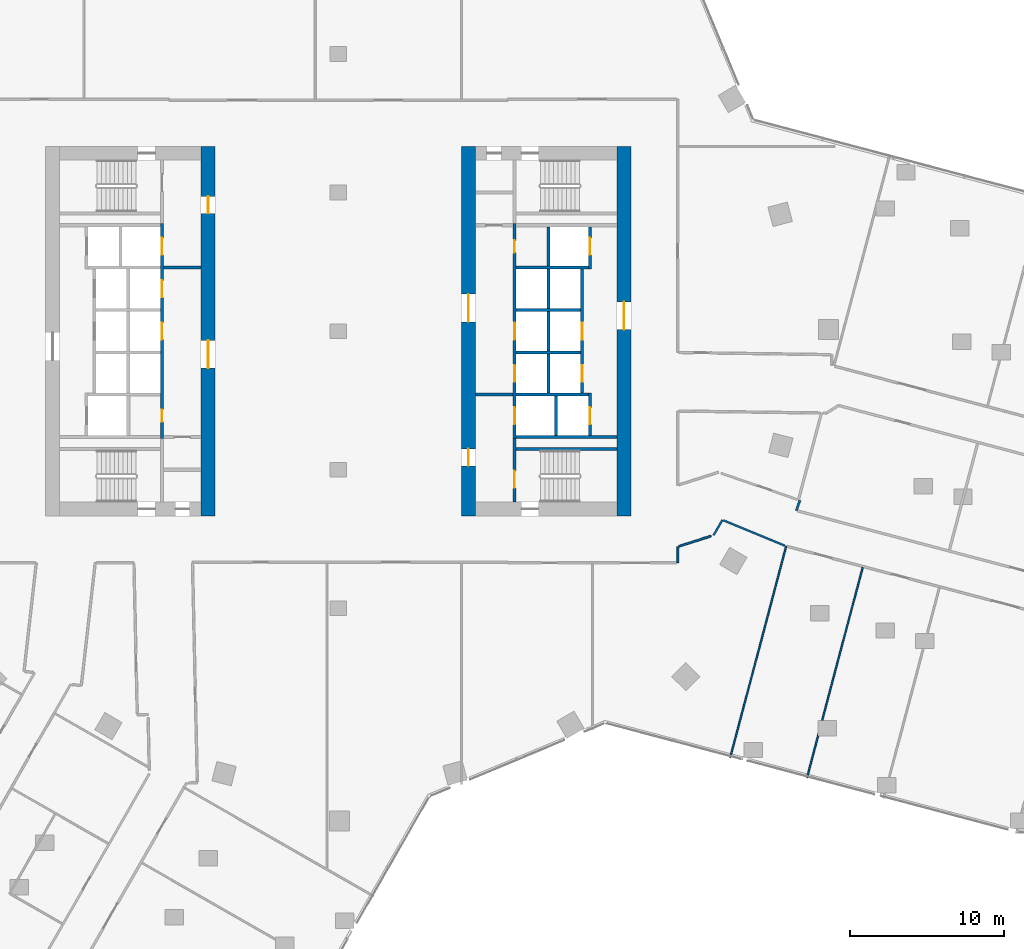
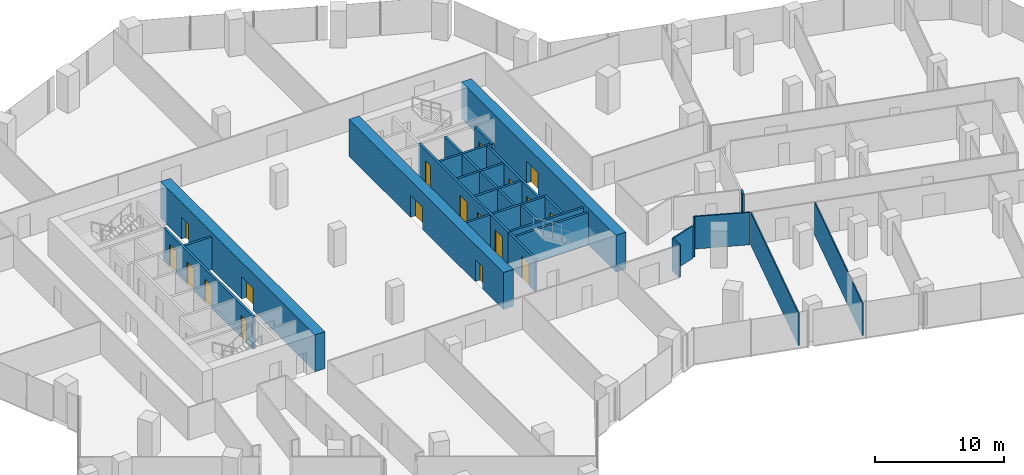
# One storey, part 28 of 34: 29 walls, 18 doors, 18 openings.
"""IFC4 building model written with IfcOpenShell, lengths in metres."""

from ifc_helpers import new_model, si_unit, direction, frame, frame_2d, origin, place, context, subcontext, project, spatial, rectangle, extrude, material, layer, layer_set, type_object, element, fill, save


model = new_model("IFC4")

# Units and contexts
model_context = context("Model", 3, precision=1e-05, world=origin(), true_north=direction((0.0, 1.0)))
body_context = subcontext(model_context, "Body", "Model", "MODEL_VIEW")
ifc_project = project(units=[si_unit("LENGTHUNIT", "METRE"), si_unit("AREAUNIT", "SQUARE_METRE"), si_unit("VOLUMEUNIT", "CUBIC_METRE"), si_unit("PLANEANGLEUNIT", "RADIAN"), si_unit("MASSUNIT", "GRAM", prefix="KILO")], contexts=[model_context])

# Site, building, storey
site_placement = place(None, origin())
site = spatial("IfcSite", under=ifc_project, at=site_placement, CompositionType="ELEMENT")
building_placement = place(site_placement, origin())
building = spatial("IfcBuilding", under=site, at=building_placement, Name="Orlundy Tower", CompositionType="ELEMENT")
storey_placement = place(building_placement, frame((0.0, 0.0, 105.699951171875)))
storey = spatial("IfcBuildingStorey", under=building, at=storey_placement, Name="L26", CompositionType="ELEMENT", Elevation=105.699951171875)

# Wall, openings, doors
ifc_material_1 = material(Name="Concrete C80/95", Category="concrete")
ifc_layer_1 = layer(ifc_material_1, 0.89990234375)
ifc_layer_set_1 = layer_set([ifc_layer_1], Name="CORE WALL 900 C80/95")
wall_type_1 = type_object("IfcWallType", Name="CORE WALL 900 C80/95", PredefinedType="SHEAR", material=ifc_layer_set_1)
wall_1_placement = place(storey_placement, frame((-8.449951171875, -12.0, 0.0), z_axis=(0.0, 0.0, 1.0), x_axis=(0.0, 1.0, 0.0)))
wall_1 = element("IfcWall", 1, at=wall_1_placement, inside=storey, type_object=wall_type_1, Name="Core wall W-E L26", PredefinedType="SHEAR", context=body_context, shape_type="SweptSolid", body=[
    extrude(rectangle(XDim=24.0, YDim=0.89990234375, at=frame_2d((12.0, 0.0))), origin(), (0.0, 0.0, 1.0), 3.5),
])
opening_1_placement = place(wall_1_placement, frame((9.60009765625, 0.0, 0.0)))
opening_1 = element("IfcOpeningElement", 2, at=opening_1_placement, cuts=wall_1, Name="Opening 21009", PredefinedType="OPENING", context=body_context, shape_type="SweptSolid", body=[
    extrude(rectangle(XDim=1.800048828125, YDim=2.10009765625, at=frame_2d((0.89990234375, 1.050048828125))), frame((0.0, 0.4599609375, 0.0), z_axis=(0.0, -1.0, 0.0), x_axis=(1.0, 0.0, 0.0)), (0.0, 0.0, 1.0), 0.919921875),
])
opening_2_placement = place(wall_1_placement, frame((19.64990234375, 0.0, 0.0)))
opening_2 = element("IfcOpeningElement", 3, at=opening_2_placement, cuts=wall_1, Name="Opening 21011", PredefinedType="OPENING", context=body_context, shape_type="SweptSolid", body=[
    extrude(rectangle(XDim=1.10009765625, YDim=2.10009765625, at=frame_2d((0.550048828125, 1.050048828125))), frame((0.0, 0.4599609375, 0.0), z_axis=(0.0, -1.0, 0.0), x_axis=(1.0, 0.0, 0.0)), (0.0, 0.0, 1.0), 0.919921875),
])
ifc_material_2 = material(Name="Steel door set", Category="steel")
door_type_1 = type_object("IfcDoorType", Name="Fire-fighting Lobby Door 1100x2100", OperationType="SINGLE_SWING_LEFT", PredefinedType="DOOR", material=ifc_material_2)
door_1_placement = place(opening_2_placement, origin())
door_1 = element("IfcDoor", 4, at=door_1_placement, inside=storey, type_object=door_type_1, Name="Fire-fighting lobby door 21011", OperationType="SINGLE_SWING_RIGHT", OverallHeight=2.10009765625, OverallWidth=1.10009765625, PredefinedType="DOOR", context=body_context, shape_type="SweptSolid", body=[
    extrude(rectangle(XDim=1.10009765625, YDim=2.10009765625, at=frame_2d((0.550048828125, 1.050048828125))), frame((0.0, 0.02490234375, 0.0), z_axis=(0.0, -1.0, 0.0), x_axis=(1.0, 0.0, 0.0)), (0.0, 0.0, 1.0), 0.050048828125),
])
fill(opening_2, door_1)
ifc_material_3 = material(Name="Timber door set", Category="wood")
door_type_2 = type_object("IfcDoorType", Name="Lobby Door 1800x2100", OperationType="DOUBLE_DOOR_DOUBLE_SWING", PredefinedType="DOOR", material=ifc_material_3)
door_2_placement = place(opening_1_placement, origin())
door_2 = element("IfcDoor", 5, at=door_2_placement, inside=storey, type_object=door_type_2, Name="Lift lobby door 21009", OperationType="SINGLE_SWING_LEFT", OverallHeight=2.10009765625, OverallWidth=1.800048828125, PredefinedType="DOOR", context=body_context, shape_type="SweptSolid", body=[
    extrude(rectangle(XDim=1.800048828125, YDim=2.10009765625, at=frame_2d((0.89990234375, 1.050048828125))), frame((0.0, 0.02490234375, 0.0), z_axis=(0.0, -1.0, 0.0), x_axis=(1.0, 0.0, 0.0)), (0.0, 0.0, 1.0), 0.050048828125),
])
fill(opening_1, door_2)

wall_2_placement = place(storey_placement, frame((8.449951171875, -12.0, 0.0), z_axis=(0.0, 0.0, 1.0), x_axis=(0.0, 1.0, 0.0)))
wall_2 = element("IfcWall", 6, at=wall_2_placement, inside=storey, type_object=wall_type_1, Name="Core wall E-W L26", PredefinedType="SHEAR", context=body_context, shape_type="SweptSolid", body=[
    extrude(rectangle(XDim=24.0, YDim=0.89990234375, at=frame_2d((12.0, 0.0))), origin(), (0.0, 0.0, 1.0), 3.5),
])
opening_3_placement = place(wall_2_placement, frame((12.60009765625, 0.0, 0.0)))
opening_3 = element("IfcOpeningElement", 7, at=opening_3_placement, cuts=wall_2, Name="Opening 21058", PredefinedType="OPENING", context=body_context, shape_type="SweptSolid", body=[
    extrude(rectangle(XDim=1.800048828125, YDim=2.10009765625, at=frame_2d((0.89990234375, 1.050048828125))), frame((0.0, 0.4599609375, 0.0), z_axis=(0.0, -1.0, 0.0), x_axis=(1.0, 0.0, 0.0)), (0.0, 0.0, 1.0), 0.919921875),
])
opening_4_placement = place(wall_2_placement, frame((3.25, 0.0, 0.0)))
opening_4 = element("IfcOpeningElement", 8, at=opening_4_placement, cuts=wall_2, Name="Opening 21060", PredefinedType="OPENING", context=body_context, shape_type="SweptSolid", body=[
    extrude(rectangle(XDim=1.10009765625, YDim=2.10009765625, at=frame_2d((0.550048828125, 1.050048828125))), frame((0.0, 0.4599609375, 0.0), z_axis=(0.0, -1.0, 0.0), x_axis=(1.0, 0.0, 0.0)), (0.0, 0.0, 1.0), 0.919921875),
])
door_3_placement = place(opening_4_placement, origin())
door_3 = element("IfcDoor", 9, at=door_3_placement, inside=storey, type_object=door_type_1, Name="Fire-fighting lobby door 21060", OperationType="SINGLE_SWING_LEFT", OverallHeight=2.10009765625, OverallWidth=1.10009765625, PredefinedType="DOOR", context=body_context, shape_type="SweptSolid", body=[
    extrude(rectangle(XDim=1.10009765625, YDim=2.10009765625, at=frame_2d((0.550048828125, 1.050048828125))), frame((0.0, 0.02490234375, 0.0), z_axis=(0.0, -1.0, 0.0), x_axis=(1.0, 0.0, 0.0)), (0.0, 0.0, 1.0), 0.050048828125),
])
fill(opening_4, door_3)
door_4_placement = place(opening_3_placement, origin())
door_4 = element("IfcDoor", 10, at=door_4_placement, inside=storey, type_object=door_type_2, Name="Lift lobby door 21058", OperationType="SINGLE_SWING_RIGHT", OverallHeight=2.10009765625, OverallWidth=1.800048828125, PredefinedType="DOOR", context=body_context, shape_type="SweptSolid", body=[
    extrude(rectangle(XDim=1.800048828125, YDim=2.10009765625, at=frame_2d((0.89990234375, 1.050048828125))), frame((0.0, 0.02490234375, 0.0), z_axis=(0.0, -1.0, 0.0), x_axis=(1.0, 0.0, 0.0)), (0.0, 0.0, 1.0), 0.050048828125),
])
fill(opening_3, door_4)

# Wall, opening, door
wall_3_placement = place(storey_placement, frame((18.550048828125, -12.0, 0.0), z_axis=(0.0, 0.0, 1.0), x_axis=(0.0, 1.0, 0.0)))
wall_3 = element("IfcWall", 11, at=wall_3_placement, inside=storey, type_object=wall_type_1, Name="Core wall E-E L26", PredefinedType="SHEAR", context=body_context, shape_type="SweptSolid", body=[
    extrude(rectangle(XDim=24.0, YDim=0.89990234375, at=frame_2d((12.0, 0.0))), origin(), (0.0, 0.0, 1.0), 3.5),
])
opening_5_placement = place(wall_3_placement, frame((12.10009765625, 0.0, 0.0)))
opening_5 = element("IfcOpeningElement", 12, at=opening_5_placement, cuts=wall_3, Name="Opening 21059", PredefinedType="OPENING", context=body_context, shape_type="SweptSolid", body=[
    extrude(rectangle(XDim=1.800048828125, YDim=2.10009765625, at=frame_2d((0.89990234375, 1.050048828125))), frame((0.0, 0.4599609375, 0.0), z_axis=(0.0, -1.0, 0.0), x_axis=(1.0, 0.0, 0.0)), (0.0, 0.0, 1.0), 0.919921875),
])
door_5_placement = place(opening_5_placement, origin())
door_5 = element("IfcDoor", 13, at=door_5_placement, inside=storey, type_object=door_type_2, Name="Lift lobby door 21059", OperationType="SINGLE_SWING_RIGHT", OverallHeight=2.10009765625, OverallWidth=1.800048828125, PredefinedType="DOOR", context=body_context, shape_type="SweptSolid", body=[
    extrude(rectangle(XDim=1.800048828125, YDim=2.10009765625, at=frame_2d((0.89990234375, 1.050048828125))), frame((0.0, 0.02490234375, 0.0), z_axis=(0.0, -1.0, 0.0), x_axis=(1.0, 0.0, 0.0)), (0.0, 0.0, 1.0), 0.050048828125),
])
fill(opening_5, door_5)

# Walls
ifc_material_4 = material(Name="Gypsum board partition")
ifc_layer_2 = layer(ifc_material_4, 0.10009765625)
ifc_layer_set_2 = layer_set([ifc_layer_2], Name="Floor partition 100")
wall_type_2 = type_object("IfcWallType", Name="Floor partition 100", PredefinedType="PARTITIONING", material=ifc_layer_set_2)
wall_4_placement = place(storey_placement, frame((30.43408203125, -29.008056640625, 0.0), z_axis=(0.0, 0.0, 1.0), x_axis=(0.256051093289, 0.96666324934, 0.0)))
element("IfcWall", 14, at=wall_4_placement, inside=storey, type_object=wall_type_2, Name="wall-int-L26-065", PredefinedType="PARTITIONING", context=body_context, shape_type="SweptSolid", body=[
    extrude(rectangle(XDim=14.13720703125, YDim=0.10009765625, at=frame_2d((7.068603515625, 0.0))), origin(), (0.0, 0.0, 1.0), 3.080078125),
])
wall_5_placement = place(storey_placement, frame((25.452880859375, -27.68896484375, 0.0), z_axis=(0.0, 0.0, 1.0), x_axis=(0.255983290364, 0.966681206528, 0.0)))
element("IfcWall", 15, at=wall_5_placement, inside=storey, type_object=wall_type_2, Name="wall-int-L26-066", PredefinedType="PARTITIONING", context=body_context, shape_type="SweptSolid", body=[
    extrude(rectangle(XDim=14.2001953125, YDim=0.10009765625, at=frame_2d((7.10009765625, 0.0))), origin(), (0.0, 0.0, 1.0), 3.080078125),
])
ifc_material_5 = material(Name="Gypsum board partition, double layer")
ifc_layer_3 = layer(ifc_material_5, 0.125)
ifc_layer_set_3 = layer_set([ifc_layer_3], Name="Floor partition 125")
wall_type_3 = type_object("IfcWallType", Name="Floor partition 125", PredefinedType="PARTITIONING", material=ifc_layer_set_3)
wall_6_placement = place(storey_placement, frame((25.006103515625, -12.285888671875, 0.0), z_axis=(0.0, 0.0, 1.0), x_axis=(0.924527003777, -0.38111654292, 0.0)))
element("IfcWall", 16, at=wall_6_placement, inside=storey, type_object=wall_type_3, Name="wall-int-L26-005", PredefinedType="PARTITIONING", context=body_context, shape_type="SweptSolid", body=[
    extrude(rectangle(XDim=4.31884765625, YDim=0.125, at=frame_2d((2.159423828125, 0.0))), origin(), (0.0, 0.0, 1.0), 3.080078125),
])
wall_7_placement = place(storey_placement, frame((22.133056640625, -13.971923828125, 0.0), z_axis=(0.0, 0.0, 1.0), x_axis=(0.952283953223, 0.30521348665, 0.0)))
element("IfcWall", 17, at=wall_7_placement, inside=storey, type_object=wall_type_3, Name="wall-int-L26-043", PredefinedType="PARTITIONING", context=body_context, shape_type="SweptSolid", body=[
    extrude(rectangle(XDim=2.185302734375, YDim=0.125, at=frame_2d((1.0927734375, 0.0))), origin(), (0.0, 0.0, 1.0), 3.080078125),
])
wall_8_placement = place(storey_placement, frame((24.368896484375, -13.2548828125, 0.0), z_axis=(0.0, 0.0, 1.0), x_axis=(0.503804993987, 0.863817415913, 0.0)))
element("IfcWall", 18, at=wall_8_placement, inside=storey, type_object=wall_type_3, Name="wall-int-L26-046", PredefinedType="PARTITIONING", context=body_context, shape_type="SweptSolid", body=[
    extrude(rectangle(XDim=1.1494140625, YDim=0.125, at=frame_2d((0.57470703125, 0.0))), origin(), (0.0, 0.0, 1.0), 3.080078125),
])
wall_9_placement = place(storey_placement, frame((22.051025390625, -15.050048828125, 0.0), z_axis=(0.0, 0.0, 1.0), x_axis=(0.0, 1.0, 0.0)))
element("IfcWall", 19, at=wall_9_placement, inside=storey, type_object=wall_type_3, Name="wall-int-L26-073", PredefinedType="PARTITIONING", context=body_context, shape_type="SweptSolid", body=[
    extrude(rectangle(XDim=1.052001953125, YDim=0.125, at=frame_2d((0.52587890625, 0.0))), origin(), (0.0, 0.0, 1.0), 3.080078125),
])
ifc_material_6 = material(Name="Blockwork shaft wall", Category="masonry")
ifc_layer_4 = layer(ifc_material_6, 0.14990234375)
ifc_layer_set_4 = layer_set([ifc_layer_4], Name="Floor shaft wall 150")
wall_type_4 = type_object("IfcWallType", Name="Floor shaft wall 150", PredefinedType="PARTITIONING", material=ifc_layer_set_4)
wall_10_placement = place(storey_placement, frame((29.74609375, -11.653076171875, 0.0), z_axis=(0.0, 0.0, 1.0), x_axis=(0.326055233701, 0.945350720408, 0.0)))
element("IfcWall", 20, at=wall_10_placement, inside=storey, type_object=wall_type_4, Name="wall-int-L26-056", PredefinedType="PARTITIONING", context=body_context, shape_type="SweptSolid", body=[
    extrude(rectangle(XDim=0.699462890625, YDim=0.14990234375, at=frame_2d((0.349609375, 0.0))), origin(), (0.0, 0.0, 1.0), 3.080078125),
])

# Wall, opening, door
ifc_material_7 = material(Name="Concrete C40/50", Category="concrete")
ifc_layer_5 = layer(ifc_material_7, 0.199951171875)
ifc_layer_set_5 = layer_set([ifc_layer_5], Name="Load-bearing Shaft Wall 200")
wall_type_5 = type_object("IfcWallType", Name="Load-bearing Shaft Wall 200", PredefinedType="SOLIDWALL", material=ifc_layer_set_5)
wall_11_placement = place(storey_placement, frame((11.43994140625, -6.97509765625, 0.0), z_axis=(0.0, 0.0, 1.0), x_axis=(0.0, -1.0, 0.0)))
wall_11 = element("IfcWall", 21, at=wall_11_placement, inside=storey, type_object=wall_type_5, Name="Shaft wall E21-stair-end-n", PredefinedType="SOLIDWALL", context=body_context, shape_type="SweptSolid", body=[
    extrude(rectangle(XDim=4.125, YDim=0.199951171875, at=frame_2d((2.0625, 0.0))), origin(), (0.0, 0.0, 1.0), 3.090087890625),
])
opening_6_placement = place(wall_11_placement, frame((2.10009765625, 0.0, 0.0)))
opening_6 = element("IfcOpeningElement", 22, at=opening_6_placement, cuts=wall_11, Name="Opening 21063", PredefinedType="OPENING", context=body_context, shape_type="SweptSolid", body=[
    extrude(rectangle(XDim=1.10009765625, YDim=2.10009765625, at=frame_2d((0.550048828125, 1.050048828125))), frame((0.0, 0.110107421875, 0.0), z_axis=(0.0, -1.0, 0.0), x_axis=(1.0, 0.0, 0.0)), (0.0, 0.0, 1.0), 0.22021484375),
])
door_6_placement = place(opening_6_placement, origin())
door_6 = element("IfcDoor", 23, at=door_6_placement, inside=storey, type_object=door_type_1, Name="Fire-fighting lobby to stair door 21063", OperationType="SINGLE_SWING_RIGHT", OverallHeight=2.10009765625, OverallWidth=1.10009765625, PredefinedType="DOOR", context=body_context, shape_type="SweptSolid", body=[
    extrude(rectangle(XDim=1.10009765625, YDim=2.10009765625, at=frame_2d((0.550048828125, 1.050048828125))), frame((0.0, 0.02490234375, 0.0), z_axis=(0.0, -1.0, 0.0), x_axis=(1.0, 0.0, 0.0)), (0.0, 0.0, 1.0), 0.050048828125),
])
fill(opening_6, door_6)

# Walls
wall_12_placement = place(storey_placement, frame((11.5400390625, -7.64990234375, 0.0), z_axis=(0.0, 0.0, 1.0), x_axis=(1.0, 0.0, 0.0)))
element("IfcWall", 24, at=wall_12_placement, inside=storey, type_object=wall_type_5, Name="Shaft wall E21-stair-side-n", PredefinedType="SOLIDWALL", context=body_context, shape_type="SweptSolid", body=[
    extrude(rectangle(XDim=6.56005859375, YDim=0.199951171875, at=frame_2d((3.280029296875, 0.0))), origin(), (0.0, 0.0, 1.0), 3.090087890625),
])
ifc_material_8 = material(Name="Gypsum board partition on steel studs", Category="steel")
ifc_layer_6 = layer(ifc_material_8, 0.199951171875)
ifc_layer_set_6 = layer_set([ifc_layer_6], Name="Partition 200")
wall_type_6 = type_object("IfcWallType", Name="Partition 200", PredefinedType="PARTITIONING", material=ifc_layer_set_6)
for number, where, z_axis, x_axis, name in (
    (25, (-8.89990234375, 4.125, 0.0), (0.0, 0.0, 1.0), (-1.0, 0.0, 0.0), "Partition wall W21-lobby-n"),
    (26, (8.89990234375, -4.125, 0.0), (0.0, 0.0, 1.0), (1.0, 0.0, 0.0), "Partition wall E21-lobby-n"),
):
    element("IfcWall", number, at=place(storey_placement, frame(where, z_axis=z_axis, x_axis=x_axis)), inside=storey, type_object=wall_type_6, Name=name, PredefinedType="PARTITIONING", context=body_context, shape_type="SweptSolid", body=[
        extrude(rectangle(XDim=2.440185546875, YDim=0.199951171875, at=frame_2d((1.22021484375, 0.0))), origin(), (0.0, 0.0, 1.0), 3.090087890625),
    ])

# Wall, openings, doors
ifc_material_9 = material(Name="Fire-rated blockwork shaft wall", Category="masonry")
ifc_layer_7 = layer(ifc_material_9, 0.199951171875)
ifc_layer_set_7 = layer_set([ifc_layer_7], Name="Shaft Wall 200")
wall_type_7 = type_object("IfcWallType", Name="Shaft Wall 200", PredefinedType="SOLIDWALL", material=ifc_layer_set_7)
wall_13_placement = place(storey_placement, frame((-11.43994140625, -6.97509765625, 0.0), z_axis=(0.0, 0.0, 1.0), x_axis=(0.0, 1.0, 0.0)))
wall_13 = element("IfcWall", 27, at=wall_13_placement, inside=storey, type_object=wall_type_7, Name="Shaft wall W21-front-h", PredefinedType="SOLIDWALL", context=body_context, shape_type="SweptSolid", body=[
    extrude(rectangle(XDim=13.9501953125, YDim=0.199951171875, at=frame_2d((6.97509765625, 0.0))), origin(), (0.0, 0.0, 1.0), 3.090087890625),
])
opening_7_placement = place(wall_13_placement, frame((6.425048828125, 0.0, 0.0)))
opening_7 = element("IfcOpeningElement", 28, at=opening_7_placement, cuts=wall_13, Name="Opening 21002", PredefinedType="OPENING", context=body_context, shape_type="SweptSolid", body=[
    extrude(rectangle(XDim=1.10009765625, YDim=2.10009765625, at=frame_2d((0.550048828125, 1.050048828125))), frame((0.0, 0.110107421875, 0.0), z_axis=(0.0, -1.0, 0.0), x_axis=(1.0, 0.0, 0.0)), (0.0, 0.0, 1.0), 0.22021484375),
])
opening_8_placement = place(wall_13_placement, frame((9.175048828125, 0.0, 0.0)))
opening_8 = element("IfcOpeningElement", 29, at=opening_8_placement, cuts=wall_13, Name="Opening 21004", PredefinedType="OPENING", context=body_context, shape_type="SweptSolid", body=[
    extrude(rectangle(XDim=1.10009765625, YDim=2.10009765625, at=frame_2d((0.550048828125, 1.050048828125))), frame((0.0, 0.110107421875, 0.0), z_axis=(0.0, -1.0, 0.0), x_axis=(1.0, 0.0, 0.0)), (0.0, 0.0, 1.0), 0.22021484375),
])
opening_9_placement = place(wall_13_placement, frame((11.925048828125, 0.0, 0.0)))
opening_9 = element("IfcOpeningElement", 30, at=opening_9_placement, cuts=wall_13, Name="Opening 21006", PredefinedType="OPENING", context=body_context, shape_type="SweptSolid", body=[
    extrude(rectangle(XDim=1.10009765625, YDim=2.10009765625, at=frame_2d((0.550048828125, 1.050048828125))), frame((0.0, 0.110107421875, 0.0), z_axis=(0.0, -1.0, 0.0), x_axis=(1.0, 0.0, 0.0)), (0.0, 0.0, 1.0), 0.22021484375),
])
opening_10_placement = place(wall_13_placement, frame((1.074951171875, 0.0, 0.0)))
opening_10 = element("IfcOpeningElement", 31, at=opening_10_placement, cuts=wall_13, Name="Opening 21008", PredefinedType="OPENING", context=body_context, shape_type="SweptSolid", body=[
    extrude(rectangle(XDim=0.800048828125, YDim=2.10009765625, at=frame_2d((0.39990234375, 1.050048828125))), frame((0.0, 0.110107421875, 0.0), z_axis=(0.0, -1.0, 0.0), x_axis=(1.0, 0.0, 0.0)), (0.0, 0.0, 1.0), 0.22021484375),
])
ifc_material_10 = material(Name="Steel door set", Category="steel")
door_type_3 = type_object("IfcDoorType", Name="Landing Door 1100x2100", OperationType="DOUBLE_DOOR_SLIDING", PredefinedType="DOOR", material=ifc_material_10)
door_7_placement = place(opening_7_placement, origin())
door_7 = element("IfcDoor", 32, at=door_7_placement, inside=storey, type_object=door_type_3, Name="Lift landing door LP-05 21002", OperationType="DOUBLE_DOOR_SLIDING", OverallHeight=2.10009765625, OverallWidth=1.10009765625, PredefinedType="DOOR", context=body_context, shape_type="SweptSolid", body=[
    extrude(rectangle(XDim=1.10009765625, YDim=2.10009765625, at=frame_2d((0.550048828125, 1.050048828125))), frame((0.0, 0.02490234375, 0.0), z_axis=(0.0, -1.0, 0.0), x_axis=(1.0, 0.0, 0.0)), (0.0, 0.0, 1.0), 0.050048828125),
])
fill(opening_7, door_7)
door_8_placement = place(opening_8_placement, origin())
door_8 = element("IfcDoor", 33, at=door_8_placement, inside=storey, type_object=door_type_3, Name="Lift landing door LP-02 21004", OperationType="DOUBLE_DOOR_SLIDING", OverallHeight=2.10009765625, OverallWidth=1.10009765625, PredefinedType="DOOR", context=body_context, shape_type="SweptSolid", body=[
    extrude(rectangle(XDim=1.10009765625, YDim=2.10009765625, at=frame_2d((0.550048828125, 1.050048828125))), frame((0.0, 0.02490234375, 0.0), z_axis=(0.0, -1.0, 0.0), x_axis=(1.0, 0.0, 0.0)), (0.0, 0.0, 1.0), 0.050048828125),
])
fill(opening_8, door_8)
door_9_placement = place(opening_9_placement, origin())
door_9 = element("IfcDoor", 34, at=door_9_placement, inside=storey, type_object=door_type_3, Name="Lift landing door FL1 21006", OperationType="DOUBLE_DOOR_SLIDING", OverallHeight=2.10009765625, OverallWidth=1.10009765625, PredefinedType="DOOR", context=body_context, shape_type="SweptSolid", body=[
    extrude(rectangle(XDim=1.10009765625, YDim=2.10009765625, at=frame_2d((0.550048828125, 1.050048828125))), frame((0.0, 0.02490234375, 0.0), z_axis=(0.0, -1.0, 0.0), x_axis=(1.0, 0.0, 0.0)), (0.0, 0.0, 1.0), 0.050048828125),
])
fill(opening_9, door_9)
ifc_material_11 = material(Name="Timber door set", Category="wood")
door_type_4 = type_object("IfcDoorType", Name="Riser Door 800x2100", OperationType="SINGLE_SWING_LEFT", PredefinedType="DOOR", material=ifc_material_11)
door_10_placement = place(opening_10_placement, origin())
door_10 = element("IfcDoor", 35, at=door_10_placement, inside=storey, type_object=door_type_4, Name="Electrical Riser Room door 21008", OperationType="SINGLE_SWING_LEFT", OverallHeight=2.10009765625, OverallWidth=0.800048828125, PredefinedType="DOOR", context=body_context, shape_type="SweptSolid", body=[
    extrude(rectangle(XDim=0.800048828125, YDim=2.10009765625, at=frame_2d((0.39990234375, 1.050048828125))), frame((0.0, 0.02490234375, 0.0), z_axis=(0.0, -1.0, 0.0), x_axis=(1.0, 0.0, 0.0)), (0.0, 0.0, 1.0), 0.050048828125),
])
fill(opening_10, door_10)

# Walls
wall_14_placement = place(storey_placement, frame((11.5400390625, -6.875, 0.0), z_axis=(0.0, 0.0, 1.0), x_axis=(1.0, 0.0, 0.0)))
element("IfcWall", 36, at=wall_14_placement, inside=storey, type_object=wall_type_7, Name="Shaft wall E21-zone-n", PredefinedType="SOLIDWALL", context=body_context, shape_type="SweptSolid", body=[
    extrude(rectangle(XDim=6.56005859375, YDim=0.199951171875, at=frame_2d((3.280029296875, 0.0))), origin(), (0.0, 0.0, 1.0), 3.090087890625),
])
wall_15_placement = place(storey_placement, frame((11.5400390625, 4.125, 0.0), z_axis=(0.0, 0.0, 1.0), x_axis=(1.0, 0.0, 0.0)))
element("IfcWall", 37, at=wall_15_placement, inside=storey, type_object=wall_type_7, Name="Shaft wall E21-cross-4.125", PredefinedType="SOLIDWALL", context=body_context, shape_type="SweptSolid", body=[
    extrude(rectangle(XDim=4.699951171875, YDim=0.199951171875, at=frame_2d((2.35009765625, 0.0))), origin(), (0.0, 0.0, 1.0), 3.090087890625),
])
for number, where, z_axis, x_axis, name in (
    (38, (11.5400390625, 1.375, 0.0), (0.0, 0.0, 1.0), (1.0, 0.0, 0.0), "Shaft wall E21-cross-1.375"),
    (39, (11.5400390625, -1.375, 0.0), (0.0, 0.0, 1.0), (1.0, 0.0, 0.0), "Shaft wall E21-cross+1.375"),
):
    element("IfcWall", number, at=place(storey_placement, frame(where, z_axis=z_axis, x_axis=x_axis)), inside=storey, type_object=wall_type_7, Name=name, PredefinedType="SOLIDWALL", context=body_context, shape_type="SweptSolid", body=[
        extrude(rectangle(XDim=4.199951171875, YDim=0.199951171875, at=frame_2d((2.10009765625, 0.0))), origin(), (0.0, 0.0, 1.0), 3.090087890625),
    ])
wall_16_placement = place(storey_placement, frame((11.5400390625, -4.125, 0.0), z_axis=(0.0, 0.0, 1.0), x_axis=(1.0, 0.0, 0.0)))
element("IfcWall", 40, at=wall_16_placement, inside=storey, type_object=wall_type_7, Name="Shaft wall E21-cross+4.125", PredefinedType="SOLIDWALL", context=body_context, shape_type="SweptSolid", body=[
    extrude(rectangle(XDim=4.699951171875, YDim=0.199951171875, at=frame_2d((2.35009765625, 0.0))), origin(), (0.0, 0.0, 1.0), 3.090087890625),
])

# Wall, openings, doors
wall_17_placement = place(storey_placement, frame((11.43994140625, 6.97509765625, 0.0), z_axis=(0.0, 0.0, 1.0), x_axis=(0.0, -1.0, 0.0)))
wall_17 = element("IfcWall", 41, at=wall_17_placement, inside=storey, type_object=wall_type_7, Name="Shaft wall E21-front-h", PredefinedType="SOLIDWALL", context=body_context, shape_type="SweptSolid", body=[
    extrude(rectangle(XDim=13.9501953125, YDim=0.199951171875, at=frame_2d((6.97509765625, 0.0))), origin(), (0.0, 0.0, 1.0), 3.090087890625),
])
opening_11_placement = place(wall_17_placement, frame((6.425048828125, 0.0, 0.0)))
opening_11 = element("IfcOpeningElement", 42, at=opening_11_placement, cuts=wall_17, Name="Opening 21051", PredefinedType="OPENING", context=body_context, shape_type="SweptSolid", body=[
    extrude(rectangle(XDim=1.10009765625, YDim=2.10009765625, at=frame_2d((0.550048828125, 1.050048828125))), frame((0.0, 0.110107421875, 0.0), z_axis=(0.0, -1.0, 0.0), x_axis=(1.0, 0.0, 0.0)), (0.0, 0.0, 1.0), 0.22021484375),
])
opening_12_placement = place(wall_17_placement, frame((9.175048828125, 0.0, 0.0)))
opening_12 = element("IfcOpeningElement", 43, at=opening_12_placement, cuts=wall_17, Name="Opening 21053", PredefinedType="OPENING", context=body_context, shape_type="SweptSolid", body=[
    extrude(rectangle(XDim=1.10009765625, YDim=2.10009765625, at=frame_2d((0.550048828125, 1.050048828125))), frame((0.0, 0.110107421875, 0.0), z_axis=(0.0, -1.0, 0.0), x_axis=(1.0, 0.0, 0.0)), (0.0, 0.0, 1.0), 0.22021484375),
])
opening_13_placement = place(wall_17_placement, frame((11.925048828125, 0.0, 0.0)))
opening_13 = element("IfcOpeningElement", 44, at=opening_13_placement, cuts=wall_17, Name="Opening 21055", PredefinedType="OPENING", context=body_context, shape_type="SweptSolid", body=[
    extrude(rectangle(XDim=1.10009765625, YDim=2.10009765625, at=frame_2d((0.550048828125, 1.050048828125))), frame((0.0, 0.110107421875, 0.0), z_axis=(0.0, -1.0, 0.0), x_axis=(1.0, 0.0, 0.0)), (0.0, 0.0, 1.0), 0.22021484375),
])
opening_14_placement = place(wall_17_placement, frame((1.074951171875, 0.0, 0.0)))
opening_14 = element("IfcOpeningElement", 45, at=opening_14_placement, cuts=wall_17, Name="Opening 21057", PredefinedType="OPENING", context=body_context, shape_type="SweptSolid", body=[
    extrude(rectangle(XDim=0.800048828125, YDim=2.10009765625, at=frame_2d((0.39990234375, 1.050048828125))), frame((0.0, 0.110107421875, 0.0), z_axis=(0.0, -1.0, 0.0), x_axis=(1.0, 0.0, 0.0)), (0.0, 0.0, 1.0), 0.22021484375),
])
door_11_placement = place(opening_11_placement, origin())
door_11 = element("IfcDoor", 46, at=door_11_placement, inside=storey, type_object=door_type_3, Name="Lift landing door LP-10 21051", OperationType="DOUBLE_DOOR_SLIDING", OverallHeight=2.10009765625, OverallWidth=1.10009765625, PredefinedType="DOOR", context=body_context, shape_type="SweptSolid", body=[
    extrude(rectangle(XDim=1.10009765625, YDim=2.10009765625, at=frame_2d((0.550048828125, 1.050048828125))), frame((0.0, 0.02490234375, 0.0), z_axis=(0.0, -1.0, 0.0), x_axis=(1.0, 0.0, 0.0)), (0.0, 0.0, 1.0), 0.050048828125),
])
fill(opening_11, door_11)
door_12_placement = place(opening_12_placement, origin())
door_12 = element("IfcDoor", 47, at=door_12_placement, inside=storey, type_object=door_type_3, Name="Lift landing door LP-07 21053", OperationType="DOUBLE_DOOR_SLIDING", OverallHeight=2.10009765625, OverallWidth=1.10009765625, PredefinedType="DOOR", context=body_context, shape_type="SweptSolid", body=[
    extrude(rectangle(XDim=1.10009765625, YDim=2.10009765625, at=frame_2d((0.550048828125, 1.050048828125))), frame((0.0, 0.02490234375, 0.0), z_axis=(0.0, -1.0, 0.0), x_axis=(1.0, 0.0, 0.0)), (0.0, 0.0, 1.0), 0.050048828125),
])
fill(opening_12, door_12)
door_13_placement = place(opening_13_placement, origin())
door_13 = element("IfcDoor", 48, at=door_13_placement, inside=storey, type_object=door_type_3, Name="Lift landing door FL2 21055", OperationType="DOUBLE_DOOR_SLIDING", OverallHeight=2.10009765625, OverallWidth=1.10009765625, PredefinedType="DOOR", context=body_context, shape_type="SweptSolid", body=[
    extrude(rectangle(XDim=1.10009765625, YDim=2.10009765625, at=frame_2d((0.550048828125, 1.050048828125))), frame((0.0, 0.02490234375, 0.0), z_axis=(0.0, -1.0, 0.0), x_axis=(1.0, 0.0, 0.0)), (0.0, 0.0, 1.0), 0.050048828125),
])
fill(opening_13, door_13)
door_14_placement = place(opening_14_placement, origin())
door_14 = element("IfcDoor", 49, at=door_14_placement, inside=storey, type_object=door_type_4, Name="Electrical Riser Room door 21057", OperationType="SINGLE_SWING_LEFT", OverallHeight=2.10009765625, OverallWidth=0.800048828125, PredefinedType="DOOR", context=body_context, shape_type="SweptSolid", body=[
    extrude(rectangle(XDim=0.800048828125, YDim=2.10009765625, at=frame_2d((0.39990234375, 1.050048828125))), frame((0.0, 0.02490234375, 0.0), z_axis=(0.0, -1.0, 0.0), x_axis=(1.0, 0.0, 0.0)), (0.0, 0.0, 1.0), 0.050048828125),
])
fill(opening_14, door_14)

# Walls
for number, where, z_axis, x_axis, name in (
    (50, (13.639892578125, 6.77490234375, 0.0), (0.0, 0.0, 1.0), (0.0, -1.0, 0.0), "Shaft wall E21-mid-a"),
    (51, (13.639892578125, 4.02490234375, 0.0), (0.0, 0.0, 1.0), (0.0, -1.0, 0.0), "Shaft wall E21-mid-a.1"),
    (52, (13.639892578125, 1.27490234375, 0.0), (0.0, 0.0, 1.0), (0.0, -1.0, 0.0), "Shaft wall E21-mid-a.2"),
    (53, (13.639892578125, -1.47509765625, 0.0), (0.0, 0.0, 1.0), (0.0, -1.0, 0.0), "Shaft wall E21-mid-a.3"),
    (54, (14.139892578125, -4.22509765625, 0.0), (0.0, 0.0, 1.0), (0.0, -1.0, 0.0), "Shaft wall E21-mid-b"),
):
    element("IfcWall", number, at=place(storey_placement, frame(where, z_axis=z_axis, x_axis=x_axis)), inside=storey, type_object=wall_type_7, Name=name, PredefinedType="SOLIDWALL", context=body_context, shape_type="SweptSolid", body=[
        extrude(rectangle(XDim=2.5498046875, YDim=0.199951171875, at=frame_2d((1.27490234375, 0.0))), origin(), (0.0, 0.0, 1.0), 3.090087890625),
    ])

# Wall, opening, door
wall_18_placement = place(storey_placement, frame((16.340087890625, 6.77490234375, 0.0), z_axis=(0.0, 0.0, 1.0), x_axis=(0.0, -1.0, 0.0)))
wall_18 = element("IfcWall", 55, at=wall_18_placement, inside=storey, type_object=wall_type_7, Name="Shaft wall E21-front-o-a", PredefinedType="SOLIDWALL", context=body_context, shape_type="SweptSolid", body=[
    extrude(rectangle(XDim=2.75, YDim=0.199951171875, at=frame_2d((1.375, 0.0))), origin(), (0.0, 0.0, 1.0), 3.090087890625),
])
opening_15_placement = place(wall_18_placement, frame((0.72509765625, 0.0, 0.0)))
opening_15 = element("IfcOpeningElement", 56, at=opening_15_placement, cuts=wall_18, Name="Opening 21050", PredefinedType="OPENING", context=body_context, shape_type="SweptSolid", body=[
    extrude(rectangle(XDim=1.10009765625, YDim=2.10009765625, at=frame_2d((0.550048828125, 1.050048828125))), frame((0.0, 0.110107421875, 0.0), z_axis=(0.0, -1.0, 0.0), x_axis=(1.0, 0.0, 0.0)), (0.0, 0.0, 1.0), 0.22021484375),
])
door_15_placement = place(opening_15_placement, origin())
door_15 = element("IfcDoor", 57, at=door_15_placement, inside=storey, type_object=door_type_3, Name="Lift landing door LV-02 21050", OperationType="DOUBLE_DOOR_SLIDING", OverallHeight=2.10009765625, OverallWidth=1.10009765625, PredefinedType="DOOR", context=body_context, shape_type="SweptSolid", body=[
    extrude(rectangle(XDim=1.10009765625, YDim=2.10009765625, at=frame_2d((0.550048828125, 1.050048828125))), frame((0.0, 0.02490234375, 0.0), z_axis=(0.0, -1.0, 0.0), x_axis=(1.0, 0.0, 0.0)), (0.0, 0.0, 1.0), 0.050048828125),
])
fill(opening_15, door_15)

# Wall, openings, doors
wall_19_placement = place(storey_placement, frame((15.840087890625, 4.02490234375, 0.0), z_axis=(0.0, 0.0, 1.0), x_axis=(0.0, -1.0, 0.0)))
wall_19 = element("IfcWall", 58, at=wall_19_placement, inside=storey, type_object=wall_type_7, Name="Shaft wall E21-front-o-b", PredefinedType="SOLIDWALL", context=body_context, shape_type="SweptSolid", body=[
    extrude(rectangle(XDim=8.0498046875, YDim=0.199951171875, at=frame_2d((4.02490234375, 0.0))), origin(), (0.0, 0.0, 1.0), 3.090087890625),
])
opening_16_placement = place(wall_19_placement, frame((3.47509765625, 0.0, 0.0)))
opening_16 = element("IfcOpeningElement", 59, at=opening_16_placement, cuts=wall_19, Name="Opening 21052", PredefinedType="OPENING", context=body_context, shape_type="SweptSolid", body=[
    extrude(rectangle(XDim=1.10009765625, YDim=2.10009765625, at=frame_2d((0.550048828125, 1.050048828125))), frame((0.0, 0.110107421875, 0.0), z_axis=(0.0, -1.0, 0.0), x_axis=(1.0, 0.0, 0.0)), (0.0, 0.0, 1.0), 0.22021484375),
])
opening_17_placement = place(wall_19_placement, frame((6.22509765625, 0.0, 0.0)))
opening_17 = element("IfcOpeningElement", 60, at=opening_17_placement, cuts=wall_19, Name="Opening 21054", PredefinedType="OPENING", context=body_context, shape_type="SweptSolid", body=[
    extrude(rectangle(XDim=1.10009765625, YDim=2.10009765625, at=frame_2d((0.550048828125, 1.050048828125))), frame((0.0, 0.110107421875, 0.0), z_axis=(0.0, -1.0, 0.0), x_axis=(1.0, 0.0, 0.0)), (0.0, 0.0, 1.0), 0.22021484375),
])
door_16_placement = place(opening_16_placement, origin())
door_16 = element("IfcDoor", 61, at=door_16_placement, inside=storey, type_object=door_type_3, Name="Lift landing door LP-06 21052", OperationType="DOUBLE_DOOR_SLIDING", OverallHeight=2.10009765625, OverallWidth=1.10009765625, PredefinedType="DOOR", context=body_context, shape_type="SweptSolid", body=[
    extrude(rectangle(XDim=1.10009765625, YDim=2.10009765625, at=frame_2d((0.550048828125, 1.050048828125))), frame((0.0, 0.02490234375, 0.0), z_axis=(0.0, -1.0, 0.0), x_axis=(1.0, 0.0, 0.0)), (0.0, 0.0, 1.0), 0.050048828125),
])
fill(opening_16, door_16)
door_17_placement = place(opening_17_placement, origin())
door_17 = element("IfcDoor", 62, at=door_17_placement, inside=storey, type_object=door_type_3, Name="Lift landing door LP-08 21054", OperationType="DOUBLE_DOOR_SLIDING", OverallHeight=2.10009765625, OverallWidth=1.10009765625, PredefinedType="DOOR", context=body_context, shape_type="SweptSolid", body=[
    extrude(rectangle(XDim=1.10009765625, YDim=2.10009765625, at=frame_2d((0.550048828125, 1.050048828125))), frame((0.0, 0.02490234375, 0.0), z_axis=(0.0, -1.0, 0.0), x_axis=(1.0, 0.0, 0.0)), (0.0, 0.0, 1.0), 0.050048828125),
])
fill(opening_17, door_17)

# Wall, opening, door
wall_20_placement = place(storey_placement, frame((16.340087890625, -4.02490234375, 0.0), z_axis=(0.0, 0.0, 1.0), x_axis=(0.0, -1.0, 0.0)))
wall_20 = element("IfcWall", 63, at=wall_20_placement, inside=storey, type_object=wall_type_7, Name="Shaft wall E21-front-o-c", PredefinedType="SOLIDWALL", context=body_context, shape_type="SweptSolid", body=[
    extrude(rectangle(XDim=2.75, YDim=0.199951171875, at=frame_2d((1.375, 0.0))), origin(), (0.0, 0.0, 1.0), 3.090087890625),
])
opening_18_placement = place(wall_20_placement, frame((0.925048828125, 0.0, 0.0)))
opening_18 = element("IfcOpeningElement", 64, at=opening_18_placement, cuts=wall_20, Name="Opening 21056", PredefinedType="OPENING", context=body_context, shape_type="SweptSolid", body=[
    extrude(rectangle(XDim=1.10009765625, YDim=2.10009765625, at=frame_2d((0.550048828125, 1.050048828125))), frame((0.0, 0.110107421875, 0.0), z_axis=(0.0, -1.0, 0.0), x_axis=(1.0, 0.0, 0.0)), (0.0, 0.0, 1.0), 0.22021484375),
])
door_18_placement = place(opening_18_placement, origin())
door_18 = element("IfcDoor", 65, at=door_18_placement, inside=storey, type_object=door_type_3, Name="Lift landing door LP-09 21056", OperationType="DOUBLE_DOOR_SLIDING", OverallHeight=2.10009765625, OverallWidth=1.10009765625, PredefinedType="DOOR", context=body_context, shape_type="SweptSolid", body=[
    extrude(rectangle(XDim=1.10009765625, YDim=2.10009765625, at=frame_2d((0.550048828125, 1.050048828125))), frame((0.0, 0.02490234375, 0.0), z_axis=(0.0, -1.0, 0.0), x_axis=(1.0, 0.0, 0.0)), (0.0, 0.0, 1.0), 0.050048828125),
])
fill(opening_18, door_18)

save(model, "model.ifc")
